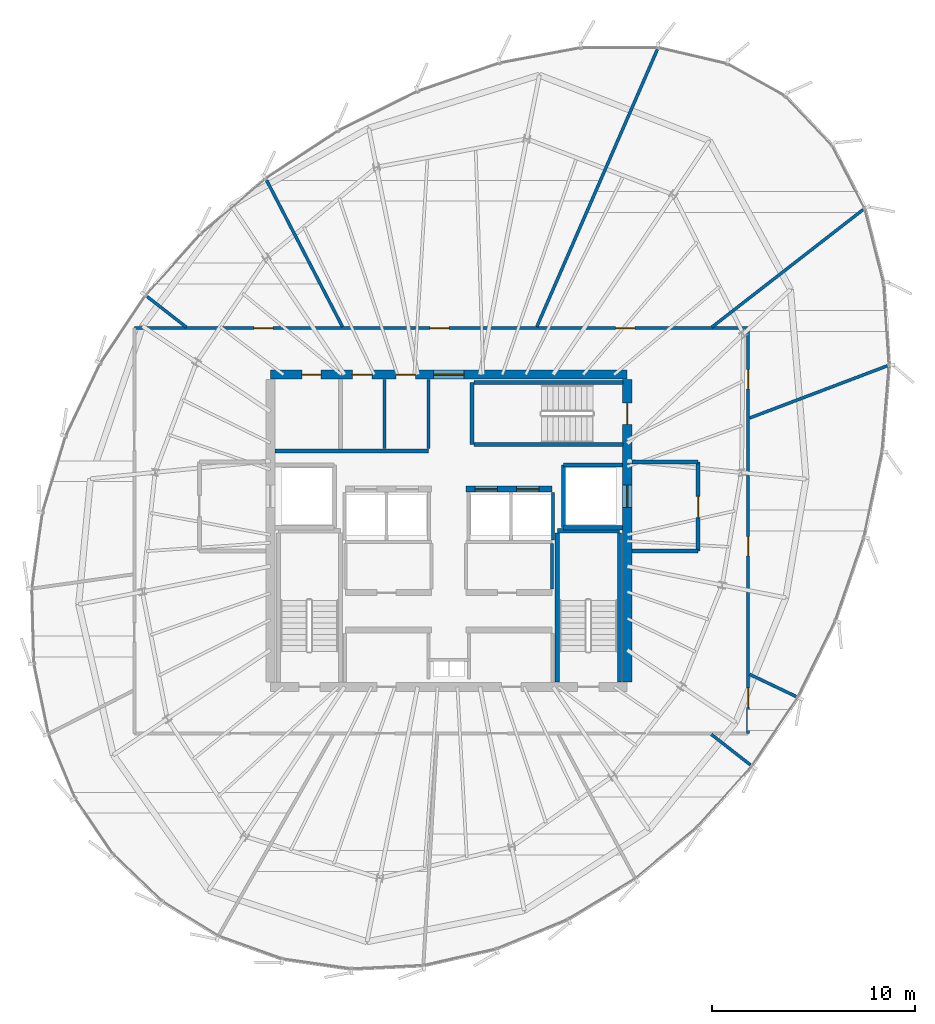
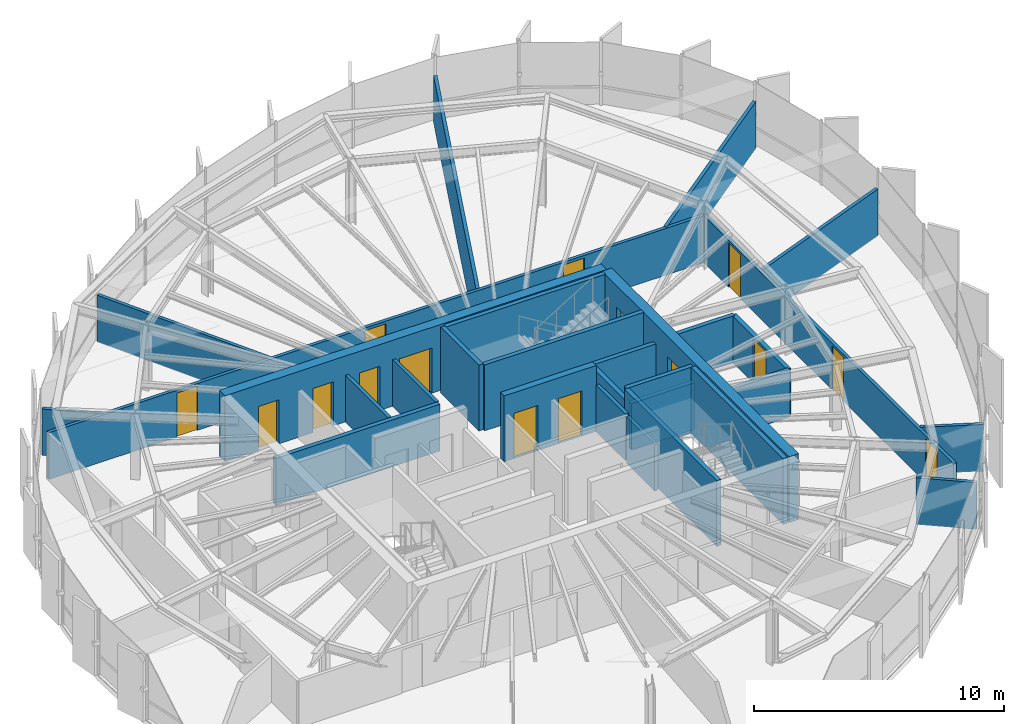
# One storey, part 30 of 35: 29 walls, 15 doors, 15 openings.
"""IFC4 building model written with IfcOpenShell, lengths in metres."""

from ifc_helpers import new_model, si_unit, direction, frame, frame_2d, origin, place, context, subcontext, project, spatial, rectangle, extrude, source, transform, mapped, material, layer, layer_set, type_object, element, fill, save


model = new_model("IFC4")

# Units and contexts
model_context = context("Model", 3, precision=1e-05, world=origin(), true_north=direction((0.0, 1.0)))
body_context = subcontext(model_context, "Body", "Model", "MODEL_VIEW")
ifc_project = project(units=[si_unit("LENGTHUNIT", "METRE"), si_unit("AREAUNIT", "SQUARE_METRE"), si_unit("VOLUMEUNIT", "CUBIC_METRE"), si_unit("PLANEANGLEUNIT", "RADIAN"), si_unit("MASSUNIT", "GRAM", prefix="KILO"), si_unit("THERMODYNAMICTEMPERATUREUNIT", "KELVIN")], contexts=[model_context])

# Site, building, storey
site_placement = place(None, origin())
site = spatial("IfcSite", under=ifc_project, at=site_placement, CompositionType="ELEMENT")
building_placement = place(site_placement, origin())
building = spatial("IfcBuilding", under=site, at=building_placement, Name="Kethvar Cultural Tower", CompositionType="ELEMENT")
storey_placement = place(building_placement, frame((0.0, 0.0, 245.64990234375)))
storey = spatial("IfcBuildingStorey", under=building, at=storey_placement, Name="L64", CompositionType="ELEMENT", Elevation=245.64990234375)

# Wall, openings, doors
ifc_material_1 = material(Name="Concrete C50/60", Category="concrete")
ifc_layer_1 = layer(ifc_material_1, 0.449951171875, Name="Concrete C50/60", Category="concrete")
ifc_layer_set_1 = layer_set([ifc_layer_1], Name="Concrete C50/60 (450 mm)")
wall_type_1 = type_object("IfcWallType", Name="WL-CORE-450", PredefinedType="SHEAR", material=ifc_layer_set_1)
wall_1_placement = place(storey_placement, frame((55.60009765625, 35.5, 0.0), z_axis=(0.0, 0.0, 1.0), x_axis=(-1.0, 0.0, 0.0)))
wall_1 = element("IfcWall", 1, at=wall_1_placement, inside=storey, type_object=wall_type_1, Name="L64 Core Shear Wall N", PredefinedType="SHEAR", context=body_context, shape_type="SweptSolid", body=[
    extrude(rectangle(XDim=17.60009765625, YDim=0.449951171875, at=frame_2d((8.800048828125, 0.0))), origin(), (0.0, 0.0, 1.0), 3.210205078125),
])
opening_1_placement = place(wall_1_placement, frame((8.050048828125, 0.0, 0.0)))
opening_1 = element("IfcOpeningElement", 2, at=opening_1_placement, cuts=wall_1, Name="Opening D-L64-LN", PredefinedType="OPENING", context=body_context, shape_type="SweptSolid", body=[
    extrude(rectangle(XDim=1.5, YDim=2.199951171875, at=frame_2d((0.75, 1.10009765625))), frame((0.0, 0.23486328125, 0.0), z_axis=(0.0, -1.0, 0.0), x_axis=(1.0, 0.0, 0.0)), (0.0, 0.0, 1.0), 0.469970703125),
])
opening_2_placement = place(wall_1_placement, frame((15.10009765625, 0.0, 0.0)))
opening_2 = element("IfcOpeningElement", 3, at=opening_2_placement, cuts=wall_1, Name="Opening D-L64-E1", PredefinedType="OPENING", context=body_context, shape_type="SweptSolid", body=[
    extrude(rectangle(XDim=0.949951171875, YDim=2.14990234375, at=frame_2d((0.47509765625, 1.074951171875))), frame((0.0, 0.23486328125, 0.0), z_axis=(0.0, -1.0, 0.0), x_axis=(1.0, 0.0, 0.0)), (0.0, 0.0, 1.0), 0.469970703125),
])
opening_3_placement = place(wall_1_placement, frame((12.60009765625, 0.0, 0.0)))
opening_3 = element("IfcOpeningElement", 4, at=opening_3_placement, cuts=wall_1, Name="Opening D-L64-W1", PredefinedType="OPENING", context=body_context, shape_type="SweptSolid", body=[
    extrude(rectangle(XDim=0.949951171875, YDim=2.14990234375, at=frame_2d((0.47509765625, 1.074951171875))), frame((0.0, 0.23486328125, 0.0), z_axis=(0.0, -1.0, 0.0), x_axis=(1.0, 0.0, 0.0)), (0.0, 0.0, 1.0), 0.469970703125),
])
opening_4_placement = place(wall_1_placement, frame((10.449951171875, 0.0, 0.0)))
opening_4 = element("IfcOpeningElement", 5, at=opening_4_placement, cuts=wall_1, Name="Opening D-L64-W2", PredefinedType="OPENING", context=body_context, shape_type="SweptSolid", body=[
    extrude(rectangle(XDim=0.949951171875, YDim=2.14990234375, at=frame_2d((0.47509765625, 1.074951171875))), frame((0.0, 0.23486328125, 0.0), z_axis=(0.0, -1.0, 0.0), x_axis=(1.0, 0.0, 0.0)), (0.0, 0.0, 1.0), 0.469970703125),
])
ifc_material_2 = material(Name="Architectural Oak Timber", Category="wood")
door_type_1 = type_object("IfcDoorType", Name="DR-DBL-FD60-1500", OperationType="DOUBLE_DOOR_SINGLE_SWING", PredefinedType="DOOR", material=ifc_material_2)
shared_shape_1 = source(origin(), body_context, "Body", "SweptSolid", [
    extrude(rectangle(XDim=1.5, YDim=2.199951171875, at=frame_2d((0.75, 1.10009765625))), frame((0.0, 0.02490234375, 0.0), z_axis=(0.0, -1.0, 0.0), x_axis=(1.0, 0.0, 0.0)), (0.0, 0.0, 1.0), 0.050048828125),
])
door_1_placement = place(opening_1_placement, origin())
door_1 = element("IfcDoor", 6, at=door_1_placement, inside=storey, type_object=door_type_1, Name="L64 Lift Lobby Concourse Door", OperationType="DOUBLE_DOOR_SINGLE_SWING", OverallHeight=2.199951171875, OverallWidth=1.5, PredefinedType="DOOR", context=body_context, shape_type="MappedRepresentation", body=[
    mapped(shared_shape_1, transform((0.0, 0.0, 0.0), scale=1.0)),
])
fill(opening_1, door_1)
door_type_2 = type_object("IfcDoorType", Name="DR-FD30-950", OperationType="NOTDEFINED", PredefinedType="DOOR", material=ifc_material_2)
shared_shape_2 = source(origin(), body_context, "Body", "SweptSolid", [
    extrude(rectangle(XDim=0.949951171875, YDim=2.14990234375, at=frame_2d((0.47509765625, 1.074951171875))), frame((0.0, 0.02490234375, 0.0), z_axis=(0.0, -1.0, 0.0), x_axis=(1.0, 0.0, 0.0)), (0.0, 0.0, 1.0), 0.050048828125),
])
door_2_placement = place(opening_2_placement, origin())
door_2 = element("IfcDoor", 7, at=door_2_placement, inside=storey, type_object=door_type_2, Name="L64 Electrical Switchgear Door", OperationType="SINGLE_SWING_RIGHT", OverallHeight=2.14990234375, OverallWidth=0.949951171875, PredefinedType="DOOR", context=body_context, shape_type="MappedRepresentation", body=[
    mapped(shared_shape_2, transform((0.0, 0.0, 0.0), scale=1.0)),
])
fill(opening_2, door_2)
door_3_placement = place(opening_3_placement, origin())
door_3 = element("IfcDoor", 8, at=door_3_placement, inside=storey, type_object=door_type_2, Name="L64 Accessible Washroom Door", OperationType="SINGLE_SWING_LEFT", OverallHeight=2.14990234375, OverallWidth=0.949951171875, PredefinedType="DOOR", context=body_context, shape_type="MappedRepresentation", body=[
    mapped(shared_shape_2, transform((0.0, 0.0, 0.0), scale=1.0)),
])
fill(opening_3, door_3)
door_4_placement = place(opening_4_placement, origin())
door_4 = element("IfcDoor", 9, at=door_4_placement, inside=storey, type_object=door_type_2, Name="L64 Public Washroom Door", OperationType="SINGLE_SWING_RIGHT", OverallHeight=2.14990234375, OverallWidth=0.949951171875, PredefinedType="DOOR", context=body_context, shape_type="MappedRepresentation", body=[
    mapped(shared_shape_2, transform((0.0, 0.0, 0.0), scale=1.0)),
])
fill(opening_4, door_4)

wall_2_placement = place(storey_placement, frame((55.60009765625, 20.340087890625, 0.0), z_axis=(0.0, 0.0, 1.0), x_axis=(0.0, 1.0, 0.0)))
wall_2 = element("IfcWall", 10, at=wall_2_placement, inside=storey, type_object=wall_type_1, Name="L64 Core Shear Wall E", PredefinedType="SHEAR", context=body_context, shape_type="SweptSolid", body=[
    extrude(rectangle(XDim=14.919921875, YDim=0.449951171875, at=frame_2d((7.4599609375, 0.0))), origin(), (0.0, 0.0, 1.0), 3.210205078125),
])
opening_5_placement = place(wall_2_placement, frame((12.7099609375, 0.0, 0.0)))
opening_5 = element("IfcOpeningElement", 11, at=opening_5_placement, cuts=wall_2, Name="Opening D-L64-S3", PredefinedType="OPENING", context=body_context, shape_type="SweptSolid", body=[
    extrude(rectangle(XDim=1.050048828125, YDim=2.14990234375, at=frame_2d((0.52490234375, 1.074951171875))), frame((0.0, 0.23486328125, 0.0), z_axis=(0.0, -1.0, 0.0), x_axis=(1.0, 0.0, 0.0)), (0.0, 0.0, 1.0), 0.469970703125),
])
opening_6_placement = place(wall_2_placement, frame((8.610107421875, 0.0, 0.0)))
opening_6 = element("IfcOpeningElement", 12, at=opening_6_placement, cuts=wall_2, Name="Opening LD-2", PredefinedType="OPENING", context=body_context, shape_type="SweptSolid", body=[
    extrude(rectangle(XDim=1.10009765625, YDim=2.199951171875, at=frame_2d((0.550048828125, 1.10009765625))), frame((0.0, 0.23486328125, 0.0), z_axis=(0.0, -1.0, 0.0), x_axis=(1.0, 0.0, 0.0)), (0.0, 0.0, 1.0), 0.469970703125),
])
ifc_material_3 = material(Name="Steel S355J2", Category="steel")
door_type_3 = type_object("IfcDoorType", Name="DR-FD60-1050", OperationType="NOTDEFINED", PredefinedType="DOOR", material=ifc_material_3)
shared_shape_3 = source(origin(), body_context, "Body", "SweptSolid", [
    extrude(rectangle(XDim=1.050048828125, YDim=2.14990234375, at=frame_2d((0.52490234375, 1.074951171875))), frame((0.0, 0.02490234375, 0.0), z_axis=(0.0, -1.0, 0.0), x_axis=(1.0, 0.0, 0.0)), (0.0, 0.0, 1.0), 0.050048828125),
])
door_5_placement = place(opening_5_placement, origin())
door_5 = element("IfcDoor", 13, at=door_5_placement, inside=storey, type_object=door_type_3, Name="L64 Exit Stair 3 Door", OperationType="SINGLE_SWING_LEFT", OverallHeight=2.14990234375, OverallWidth=1.050048828125, PredefinedType="DOOR", context=body_context, shape_type="MappedRepresentation", body=[
    mapped(shared_shape_3, transform((0.0, 0.0, 0.0), scale=1.0)),
])
fill(opening_5, door_5)
door_type_4 = type_object("IfcDoorType", Name="DR-LIFT-SLIDE-1100", OperationType="NOTDEFINED", PredefinedType="DOOR", material=ifc_material_3)
shared_shape_4 = source(origin(), body_context, "Body", "SweptSolid", [
    extrude(rectangle(XDim=1.10009765625, YDim=2.199951171875, at=frame_2d((0.550048828125, 1.10009765625))), frame((0.0, 0.02490234375, 0.0), z_axis=(0.0, -1.0, 0.0), x_axis=(1.0, 0.0, 0.0)), (0.0, 0.0, 1.0), 0.050048828125),
])
door_6_placement = place(opening_6_placement, origin())
door_6 = element("IfcDoor", 14, at=door_6_placement, inside=storey, type_object=door_type_4, Name="L64 Firefighting Lift Landing Door FFL-02", OperationType="SLIDING_TO_RIGHT", OverallHeight=2.199951171875, OverallWidth=1.10009765625, PredefinedType="DOOR", context=body_context, shape_type="MappedRepresentation", body=[
    mapped(shared_shape_4, transform((0.0, 0.0, 0.0), scale=1.0)),
])
fill(opening_6, door_6)

# Walls
ifc_material_4 = material(Name="Gypsum Fireboard Partition")
ifc_layer_2 = layer(ifc_material_4, 0.14990234375, Name="Gypsum Fireboard Partition")
ifc_layer_set_2 = layer_set([ifc_layer_2], Name="Gypsum Fireboard Partition (150 mm)")
wall_type_2 = type_object("IfcWallType", Name="WL-FIRE-150", PredefinedType="PARTITIONING", material=ifc_layer_set_2)
wall_3_placement = place(storey_placement, frame((51.89990234375, 24.919921875, 0.0), z_axis=(0.0, 0.0, 1.0), x_axis=(0.0, 1.0, 0.0)))
element("IfcWall", 15, at=wall_3_placement, inside=storey, type_object=wall_type_2, Name="L64 Reclaimed Mid Outer E", PredefinedType="PARTITIONING", context=body_context, shape_type="SweptSolid", body=[
    extrude(rectangle(XDim=2.239990234375, YDim=0.14990234375, at=frame_2d((1.1201171875, 0.0))), origin(), (0.0, 0.0, 1.0), 2.280029296875),
])
wall_4_placement = place(storey_placement, frame((51.949951171875, 27.340087890625, 0.0), z_axis=(0.0, 0.0, 1.0), x_axis=(0.0, 1.0, 0.0)))
element("IfcWall", 16, at=wall_4_placement, inside=storey, type_object=wall_type_2, Name="L64 High-Rise Lift Shaft Outer Wall E", PredefinedType="PARTITIONING", context=body_context, shape_type="SweptSolid", body=[
    extrude(rectangle(XDim=2.33984375, YDim=0.14990234375, at=frame_2d((1.169921875, 0.0))), origin(), (0.0, 0.0, 1.0), 2.280029296875),
])
wall_5_placement = place(storey_placement, frame((45.800048828125, 31.85009765625, 0.0), z_axis=(0.0, 0.0, 1.0), x_axis=(0.0, 1.0, 0.0)))
element("IfcWall", 17, at=wall_5_placement, inside=storey, type_object=wall_type_2, Name="L64 Sanitary Spine Wall", PredefinedType="PARTITIONING", context=body_context, shape_type="SweptSolid", body=[
    extrude(rectangle(XDim=3.414794921875, YDim=0.14990234375, at=frame_2d((1.70751953125, 0.0))), origin(), (0.0, 0.0, 1.0), 2.280029296875),
])

# Wall, openings, doors
wall_6_placement = place(storey_placement, frame((61.56396484375, 17.806884765625, 0.0), z_axis=(0.0, 0.0, 1.0), x_axis=(0.0, 1.0, 0.0)))
wall_6 = element("IfcWall", 18, at=wall_6_placement, inside=storey, type_object=wall_type_2, Name="L64 Corridor Rated Wall E", PredefinedType="PARTITIONING", context=body_context, shape_type="SweptSolid", body=[
    extrude(rectangle(XDim=19.986083984375, YDim=0.14990234375, at=frame_2d((9.9931640625, 0.0))), origin(), (0.0, 0.0, 1.0), 2.280029296875),
])
opening_7_placement = place(wall_6_placement, frame((1.2880859375, 0.0, 0.0)))
opening_7 = element("IfcOpeningElement", 19, at=opening_7_placement, cuts=wall_6, Name="Opening D-L64-06", PredefinedType="OPENING", context=body_context, shape_type="SweptSolid", body=[
    extrude(rectangle(XDim=0.949951171875, YDim=2.14990234375, at=frame_2d((0.47509765625, 1.074951171875))), frame((0.0, 0.0849609375, 0.0), z_axis=(0.0, -1.0, 0.0), x_axis=(1.0, 0.0, 0.0)), (0.0, 0.0, 1.0), 0.169921875),
])
opening_8_placement = place(wall_6_placement, frame((8.75537109375, 0.0, 0.0)))
opening_8 = element("IfcOpeningElement", 20, at=opening_8_placement, cuts=wall_6, Name="Opening D-L64-07", PredefinedType="OPENING", context=body_context, shape_type="SweptSolid", body=[
    extrude(rectangle(XDim=0.949951171875, YDim=2.14990234375, at=frame_2d((0.47509765625, 1.074951171875))), frame((0.0, 0.0849609375, 0.0), z_axis=(0.0, -1.0, 0.0), x_axis=(1.0, 0.0, 0.0)), (0.0, 0.0, 1.0), 0.169921875),
])
opening_9_placement = place(wall_6_placement, frame((16.990966796875, 0.0, 0.0)))
opening_9 = element("IfcOpeningElement", 21, at=opening_9_placement, cuts=wall_6, Name="Opening D-L64-08", PredefinedType="OPENING", context=body_context, shape_type="SweptSolid", body=[
    extrude(rectangle(XDim=0.949951171875, YDim=2.14990234375, at=frame_2d((0.47509765625, 1.074951171875))), frame((0.0, 0.0849609375, 0.0), z_axis=(0.0, -1.0, 0.0), x_axis=(1.0, 0.0, 0.0)), (0.0, 0.0, 1.0), 0.169921875),
])
door_7_placement = place(opening_7_placement, origin())
door_7 = element("IfcDoor", 22, at=door_7_placement, inside=storey, type_object=door_type_2, Name="L64 Compact Archival Store 06 Door", OperationType="SINGLE_SWING_RIGHT", OverallHeight=2.14990234375, OverallWidth=0.949951171875, PredefinedType="DOOR", context=body_context, shape_type="MappedRepresentation", body=[
    mapped(shared_shape_2, transform((0.0, 0.0, 0.0), scale=1.0)),
])
fill(opening_7, door_7)
door_8_placement = place(opening_8_placement, origin())
door_8 = element("IfcDoor", 23, at=door_8_placement, inside=storey, type_object=door_type_2, Name="L64 Rare Folio Storage 07 Door", OperationType="SINGLE_SWING_LEFT", OverallHeight=2.14990234375, OverallWidth=0.949951171875, PredefinedType="DOOR", context=body_context, shape_type="MappedRepresentation", body=[
    mapped(shared_shape_2, transform((0.0, 0.0, 0.0), scale=1.0)),
])
fill(opening_8, door_8)
door_9_placement = place(opening_9_placement, origin())
door_9 = element("IfcDoor", 24, at=door_9_placement, inside=storey, type_object=door_type_2, Name="L64 Docent Espresso Pantry 08 Door", OperationType="SINGLE_SWING_RIGHT", OverallHeight=2.14990234375, OverallWidth=0.949951171875, PredefinedType="DOOR", context=body_context, shape_type="MappedRepresentation", body=[
    mapped(shared_shape_2, transform((0.0, 0.0, 0.0), scale=1.0)),
])
fill(opening_9, door_9)

wall_7_placement = place(storey_placement, frame((61.56396484375, 37.79296875, 0.0), z_axis=(0.0, 0.0, 1.0), x_axis=(-1.0, 0.0, 0.0)))
wall_7 = element("IfcWall", 25, at=wall_7_placement, inside=storey, type_object=wall_type_2, Name="L64 Corridor Rated Wall N", PredefinedType="PARTITIONING", context=body_context, shape_type="SweptSolid", body=[
    extrude(rectangle(XDim=30.27392578125, YDim=0.14990234375, at=frame_2d((15.136962890625, 0.0))), origin(), (0.0, 0.0, 1.0), 2.280029296875),
])
opening_10_placement = place(wall_7_placement, frame((5.5888671875, 0.0, 0.0)))
opening_10 = element("IfcOpeningElement", 26, at=opening_10_placement, cuts=wall_7, Name="Opening D-L64-09", PredefinedType="OPENING", context=body_context, shape_type="SweptSolid", body=[
    extrude(rectangle(XDim=0.949951171875, YDim=2.14990234375, at=frame_2d((0.47509765625, 1.074951171875))), frame((0.0, 0.0849609375, 0.0), z_axis=(0.0, -1.0, 0.0), x_axis=(1.0, 0.0, 0.0)), (0.0, 0.0, 1.0), 0.169921875),
])
opening_11_placement = place(wall_7_placement, frame((14.742919921875, 0.0, 0.0)))
opening_11 = element("IfcOpeningElement", 27, at=opening_11_placement, cuts=wall_7, Name="Opening D-L64-10", PredefinedType="OPENING", context=body_context, shape_type="SweptSolid", body=[
    extrude(rectangle(XDim=0.949951171875, YDim=2.14990234375, at=frame_2d((0.47509765625, 1.074951171875))), frame((0.0, 0.0849609375, 0.0), z_axis=(0.0, -1.0, 0.0), x_axis=(1.0, 0.0, 0.0)), (0.0, 0.0, 1.0), 0.169921875),
])
opening_12_placement = place(wall_7_placement, frame((23.42333984375, 0.0, 0.0)))
opening_12 = element("IfcOpeningElement", 28, at=opening_12_placement, cuts=wall_7, Name="Opening D-L64-11", PredefinedType="OPENING", context=body_context, shape_type="SweptSolid", body=[
    extrude(rectangle(XDim=0.949951171875, YDim=2.14990234375, at=frame_2d((0.47509765625, 1.074951171875))), frame((0.0, 0.0849609375, 0.0), z_axis=(0.0, -1.0, 0.0), x_axis=(1.0, 0.0, 0.0)), (0.0, 0.0, 1.0), 0.169921875),
])
door_10_placement = place(opening_10_placement, origin())
door_10 = element("IfcDoor", 29, at=door_10_placement, inside=storey, type_object=door_type_2, Name="L64 Scholars' Study Lounge 09 Door", OperationType="SINGLE_SWING_LEFT", OverallHeight=2.14990234375, OverallWidth=0.949951171875, PredefinedType="DOOR", context=body_context, shape_type="MappedRepresentation", body=[
    mapped(shared_shape_2, transform((0.0, 0.0, 0.0), scale=1.0)),
])
fill(opening_10, door_10)
door_11_placement = place(opening_11_placement, origin())
door_11 = element("IfcDoor", 30, at=door_11_placement, inside=storey, type_object=door_type_2, Name="L64 Curatorial Concierge Foyer 10 Door", OperationType="SINGLE_SWING_RIGHT", OverallHeight=2.14990234375, OverallWidth=0.949951171875, PredefinedType="DOOR", context=body_context, shape_type="MappedRepresentation", body=[
    mapped(shared_shape_2, transform((0.0, 0.0, 0.0), scale=1.0)),
])
fill(opening_11, door_11)
door_12_placement = place(opening_12_placement, origin())
door_12 = element("IfcDoor", 31, at=door_12_placement, inside=storey, type_object=door_type_2, Name="L64 Photography Media Salon 11 Door", OperationType="SINGLE_SWING_LEFT", OverallHeight=2.14990234375, OverallWidth=0.949951171875, PredefinedType="DOOR", context=body_context, shape_type="MappedRepresentation", body=[
    mapped(shared_shape_2, transform((0.0, 0.0, 0.0), scale=1.0)),
])
fill(opening_12, door_12)

# Walls
ifc_material_5 = material(Name="Concrete C40/50", Category="concrete")
ifc_layer_3 = layer(ifc_material_5, 0.199951171875, Name="Concrete C40/50", Category="concrete")
ifc_layer_set_3 = layer_set([ifc_layer_3], Name="Concrete C40/50 (200 mm)")
wall_type_3 = type_object("IfcWallType", Name="WL-FIRE-200", PredefinedType="PARTITIONING", material=ifc_layer_set_3)
wall_8_placement = place(storey_placement, frame((52.449951171875, 27.949951171875, 0.0), z_axis=(0.0, 0.0, 1.0), x_axis=(0.0, 1.0, 0.0)))
element("IfcWall", 32, at=wall_8_placement, inside=storey, type_object=wall_type_3, Name="L64 FFL-02 Shaft Inner Wall", PredefinedType="PARTITIONING", context=body_context, shape_type="SweptSolid", body=[
    extrude(rectangle(XDim=3.10009765625, YDim=0.199951171875, at=frame_2d((1.550048828125, 0.0))), origin(), (0.0, 0.0, 1.0), 2.280029296875),
])
for number, where, z_axis, x_axis, name in (
    (33, (52.449951171875, 27.949951171875, 0.0), (0.0, 0.0, 1.0), (1.0, 0.0, 0.0), "L64 FFL-02 Shaft South Wall"),
    (34, (52.449951171875, 31.050048828125, 0.0), (0.0, 0.0, 1.0), (1.0, 0.0, 0.0), "L64 FFL-02 Shaft North Wall"),
):
    element("IfcWall", number, at=place(storey_placement, frame(where, z_axis=z_axis, x_axis=x_axis)), inside=storey, type_object=wall_type_3, Name=name, PredefinedType="PARTITIONING", context=body_context, shape_type="SweptSolid", body=[
        extrude(rectangle(XDim=2.9150390625, YDim=0.199951171875, at=frame_2d((1.45751953125, 0.0))), origin(), (0.0, 0.0, 1.0), 2.280029296875),
    ])

# Wall, opening, door
wall_9_placement = place(storey_placement, frame((59.10009765625, 26.800048828125, 0.0), z_axis=(0.0, 0.0, 1.0), x_axis=(0.0, 1.0, 0.0)))
wall_9 = element("IfcWall", 35, at=wall_9_placement, inside=storey, type_object=wall_type_3, Name="L64 Firefighting Lobby 2 Wall", PredefinedType="PARTITIONING", context=body_context, shape_type="SweptSolid", body=[
    extrude(rectangle(XDim=4.39990234375, YDim=0.199951171875, at=frame_2d((2.199951171875, 0.0))), origin(), (0.0, 0.0, 1.0), 2.280029296875),
])
opening_13_placement = place(wall_9_placement, frame((1.64990234375, 0.0, 0.0)))
opening_13 = element("IfcOpeningElement", 36, at=opening_13_placement, cuts=wall_9, Name="Opening D-L64-F2", PredefinedType="OPENING", context=body_context, shape_type="SweptSolid", body=[
    extrude(rectangle(XDim=1.050048828125, YDim=2.14990234375, at=frame_2d((0.52490234375, 1.074951171875))), frame((0.0, 0.10986328125, 0.0), z_axis=(0.0, -1.0, 0.0), x_axis=(1.0, 0.0, 0.0)), (0.0, 0.0, 1.0), 0.219970703125),
])
door_13_placement = place(opening_13_placement, origin())
door_13 = element("IfcDoor", 37, at=door_13_placement, inside=storey, type_object=door_type_3, Name="L64 Firefighting Lobby 2 Fire Door", OperationType="SINGLE_SWING_LEFT", OverallHeight=2.14990234375, OverallWidth=1.050048828125, PredefinedType="DOOR", context=body_context, shape_type="MappedRepresentation", body=[
    mapped(shared_shape_3, transform((0.0, 0.0, 0.0), scale=1.0)),
])
fill(opening_13, door_13)

# Walls
for number, where, z_axis, x_axis, name in (
    (38, (55.8349609375, 26.800048828125, 0.0), (0.0, 0.0, 1.0), (1.0, 0.0, 0.0), "L64 FF Lobby 2 South Wall"),
    (39, (55.8349609375, 31.199951171875, 0.0), (0.0, 0.0, 1.0), (1.0, 0.0, 0.0), "L64 FF Lobby 2 North Wall"),
):
    element("IfcWall", number, at=place(storey_placement, frame(where, z_axis=z_axis, x_axis=x_axis)), inside=storey, type_object=wall_type_3, Name=name, PredefinedType="PARTITIONING", context=body_context, shape_type="SweptSolid", body=[
        extrude(rectangle(XDim=3.26513671875, YDim=0.199951171875, at=frame_2d((1.632568359375, 0.0))), origin(), (0.0, 0.0, 1.0), 2.280029296875),
    ])
wall_10_placement = place(storey_placement, frame((38.235107421875, 31.72998046875, 0.0), z_axis=(0.0, 0.0, 1.0), x_axis=(1.0, 0.0, 0.0)))
element("IfcWall", 40, at=wall_10_placement, inside=storey, type_object=wall_type_3, Name="L64 North Core Sanitary South Wall", PredefinedType="PARTITIONING", context=body_context, shape_type="SweptSolid", body=[
    extrude(rectangle(XDim=7.56494140625, YDim=0.199951171875, at=frame_2d((3.782470703125, 0.0))), origin(), (0.0, 0.0, 1.0), 2.280029296875),
])
ifc_material_6 = material(Name="Gypsum Acoustic Partition")
ifc_layer_4 = layer(ifc_material_6, 0.14990234375, Name="Gypsum Acoustic Partition")
ifc_layer_set_4 = layer_set([ifc_layer_4], Name="Gypsum Acoustic Partition (150 mm)")
wall_type_4 = type_object("IfcWallType", Name="WL-PART-150", PredefinedType="PARTITIONING", material=ifc_layer_set_4)
wall_11_placement = place(storey_placement, frame((59.74609375, 17.7578125, 0.0), z_axis=(0.0, 0.0, 1.0), x_axis=(0.788469366892, -0.61507402601, 0.0)))
element("IfcWall", 41, at=wall_11_placement, inside=storey, type_object=wall_type_4, Name="L64 Radial Partition Wall 06", PredefinedType="PARTITIONING", context=body_context, shape_type="SweptSolid", body=[
    extrude(rectangle(XDim=2.4443359375, YDim=0.14990234375, at=frame_2d((1.22216796875, 0.0))), origin(), (0.0, 0.0, 1.0), 2.280029296875),
])
wall_12_placement = place(storey_placement, frame((61.63623046875, 20.718994140625, 0.0), z_axis=(0.0, 0.0, 1.0), x_axis=(0.902636442074, -0.430403826006, 0.0)))
element("IfcWall", 42, at=wall_12_placement, inside=storey, type_object=wall_type_4, Name="L64 Radial Partition Wall 07", PredefinedType="PARTITIONING", context=body_context, shape_type="SweptSolid", body=[
    extrude(rectangle(XDim=2.5390625, YDim=0.14990234375, at=frame_2d((1.26953125, 0.0))), origin(), (0.0, 0.0, 1.0), 2.280029296875),
])
wall_13_placement = place(storey_placement, frame((61.638916015625, 33.36083984375, 0.0), z_axis=(0.0, 0.0, 1.0), x_axis=(0.935050196541, 0.354515345152, 0.0)))
element("IfcWall", 43, at=wall_13_placement, inside=storey, type_object=wall_type_4, Name="L64 Radial Partition Wall 08", PredefinedType="PARTITIONING", context=body_context, shape_type="SweptSolid", body=[
    extrude(rectangle(XDim=7.259765625, YDim=0.14990234375, at=frame_2d((3.6298828125, 0.0))), origin(), (0.0, 0.0, 1.0), 2.280029296875),
])
wall_14_placement = place(storey_placement, frame((59.77392578125, 37.842041015625, 0.0), z_axis=(0.0, 0.0, 1.0), x_axis=(0.789655228906, 0.613550828751, 0.0)))
element("IfcWall", 44, at=wall_14_placement, inside=storey, type_object=wall_type_4, Name="L64 Radial Partition Wall 09", PredefinedType="PARTITIONING", context=body_context, shape_type="SweptSolid", body=[
    extrude(rectangle(XDim=9.454833984375, YDim=0.14990234375, at=frame_2d((4.7275390625, 0.0))), origin(), (0.0, 0.0, 1.0), 2.280029296875),
])
wall_15_placement = place(storey_placement, frame((51.143798828125, 37.866455078125, 0.0), z_axis=(0.0, 0.0, 1.0), x_axis=(0.398607510902, 0.917121612575, 0.0)))
element("IfcWall", 45, at=wall_15_placement, inside=storey, type_object=wall_type_4, Name="L64 Radial Partition Wall 10", PredefinedType="PARTITIONING", context=body_context, shape_type="SweptSolid", body=[
    extrude(rectangle(XDim=14.904296875, YDim=0.14990234375, at=frame_2d((7.4521484375, 0.0))), origin(), (0.0, 0.0, 1.0), 2.280029296875),
])
wall_16_placement = place(storey_placement, frame((41.554443359375, 37.864013671875, 0.0), z_axis=(0.0, 0.0, 1.0), x_axis=(-0.459817459347, 0.888013459402, 0.0)))
element("IfcWall", 46, at=wall_16_placement, inside=storey, type_object=wall_type_4, Name="L64 Radial Partition Wall 11", PredefinedType="PARTITIONING", context=body_context, shape_type="SweptSolid", body=[
    extrude(rectangle(XDim=8.1298828125, YDim=0.14990234375, at=frame_2d((4.06494140625, 0.0))), origin(), (0.0, 0.0, 1.0), 2.280029296875),
])
wall_17_placement = place(storey_placement, frame((33.85400390625, 37.84228515625, 0.0), z_axis=(0.0, 0.0, 1.0), x_axis=(-0.788469366892, 0.61507402601, 0.0)))
element("IfcWall", 47, at=wall_17_placement, inside=storey, type_object=wall_type_4, Name="L64 Radial Partition Wall 12", PredefinedType="PARTITIONING", context=body_context, shape_type="SweptSolid", body=[
    extrude(rectangle(XDim=2.4443359375, YDim=0.14990234375, at=frame_2d((1.22216796875, 0.0))), origin(), (0.0, 0.0, 1.0), 2.280029296875),
])
ifc_material_7 = material(Name="Moisture-Resistant Sanitary Chase Wall")
ifc_layer_5 = layer(ifc_material_7, 0.14990234375, Name="Moisture-Resistant Sanitary Chase Wall")
ifc_layer_set_5 = layer_set([ifc_layer_5], Name="Moisture-Resistant Sanitary Chase Wall (150 mm)")
wall_type_5 = type_object("IfcWallType", Name="WL-PLUMB-150", PredefinedType="PLUMBINGWALL", material=ifc_layer_set_5)
wall_18_placement = place(storey_placement, frame((43.6201171875, 31.85009765625, 0.0), z_axis=(0.0, 0.0, 1.0), x_axis=(0.0, 1.0, 0.0)))
element("IfcWall", 48, at=wall_18_placement, inside=storey, type_object=wall_type_5, Name="L64 Sanitary Plumbing Wall", PredefinedType="PLUMBINGWALL", context=body_context, shape_type="SweptSolid", body=[
    extrude(rectangle(XDim=3.414794921875, YDim=0.14990234375, at=frame_2d((1.70751953125, 0.0))), origin(), (0.0, 0.0, 1.0), 2.280029296875),
])

# Wall, openings, doors
ifc_layer_6 = layer(ifc_material_1, 0.300048828125, Name="Concrete C50/60", Category="concrete")
ifc_layer_set_6 = layer_set([ifc_layer_6], Name="Concrete C50/60 (300 mm)")
wall_type_6 = type_object("IfcWallType", Name="WL-SHAFT-300", PredefinedType="SHEAR", material=ifc_layer_set_6)
wall_19_placement = place(storey_placement, frame((47.64990234375, 29.85009765625, 0.0), z_axis=(0.0, 0.0, 1.0), x_axis=(1.0, 0.0, 0.0)))
wall_19 = element("IfcWall", 49, at=wall_19_placement, inside=storey, type_object=wall_type_6, Name="L64 Core Lift Spine Wall MID3E", PredefinedType="SHEAR", context=body_context, shape_type="SweptSolid", body=[
    extrude(rectangle(XDim=4.25, YDim=0.300048828125, at=frame_2d((2.125, 0.0))), origin(), (0.0, 0.0, 1.0), 3.210205078125),
])
opening_14_placement = place(wall_19_placement, frame((0.449951171875, 0.0, 0.0)))
opening_14 = element("IfcOpeningElement", 50, at=opening_14_placement, cuts=wall_19, Name="Opening LD-H3", PredefinedType="OPENING", context=body_context, shape_type="SweptSolid", body=[
    extrude(rectangle(XDim=1.10009765625, YDim=2.199951171875, at=frame_2d((0.550048828125, 1.10009765625))), frame((0.0, 0.159912109375, 0.0), z_axis=(0.0, -1.0, 0.0), x_axis=(1.0, 0.0, 0.0)), (0.0, 0.0, 1.0), 0.320068359375),
])
opening_15_placement = place(wall_19_placement, frame((2.5, 0.0, 0.0)))
opening_15 = element("IfcOpeningElement", 51, at=opening_15_placement, cuts=wall_19, Name="Opening LD-H4", PredefinedType="OPENING", context=body_context, shape_type="SweptSolid", body=[
    extrude(rectangle(XDim=1.10009765625, YDim=2.199951171875, at=frame_2d((0.550048828125, 1.10009765625))), frame((0.0, 0.159912109375, 0.0), z_axis=(0.0, -1.0, 0.0), x_axis=(1.0, 0.0, 0.0)), (0.0, 0.0, 1.0), 0.320068359375),
])
door_14_placement = place(opening_14_placement, origin())
door_14 = element("IfcDoor", 52, at=door_14_placement, inside=storey, type_object=door_type_4, Name="L64 High-Rise Lift Landing Door H3", OperationType="SLIDING_TO_LEFT", OverallHeight=2.199951171875, OverallWidth=1.10009765625, PredefinedType="DOOR", context=body_context, shape_type="MappedRepresentation", body=[
    mapped(shared_shape_4, transform((0.0, 0.0, 0.0), scale=1.0)),
])
fill(opening_14, door_14)
door_15_placement = place(opening_15_placement, origin())
door_15 = element("IfcDoor", 53, at=door_15_placement, inside=storey, type_object=door_type_4, Name="L64 High-Rise Lift Landing Door H4", OperationType="SLIDING_TO_LEFT", OverallHeight=2.199951171875, OverallWidth=1.10009765625, PredefinedType="DOOR", context=body_context, shape_type="MappedRepresentation", body=[
    mapped(shared_shape_4, transform((0.0, 0.0, 0.0), scale=1.0)),
])
fill(opening_15, door_15)

# Walls
ifc_layer_7 = layer(ifc_material_1, 0.199951171875, Name="Concrete C50/60", Category="concrete")
ifc_layer_set_7 = layer_set([ifc_layer_7], Name="Concrete C50/60 (200 mm)")
wall_type_7 = type_object("IfcWallType", Name="WL-STSHAFT-200", PredefinedType="SHEAR", material=ifc_layer_set_7)
wall_20_placement = place(storey_placement, frame((52.14990234375, 27.800048828125, 0.0), z_axis=(0.0, 0.0, 1.0), x_axis=(1.0, 0.0, 0.0)))
element("IfcWall", 54, at=wall_20_placement, inside=storey, type_object=wall_type_7, Name="L64 ST-02 Stair Shaft Wall FAR", PredefinedType="SHEAR", context=body_context, shape_type="SweptSolid", body=[
    extrude(rectangle(XDim=3.06005859375, YDim=0.199951171875, at=frame_2d((1.530029296875, 0.0))), origin(), (0.0, 0.0, 1.0), 3.210205078125),
])
for number, where, z_axis, x_axis, name in (
    (55, (55.2099609375, 27.699951171875, 0.0), (0.0, 0.0, 1.0), (0.0, -1.0, 0.0), "L64 ST-02 Stair Shaft Wall LEFT"),
    (56, (52.14990234375, 20.35009765625, 0.0), (0.0, 0.0, 1.0), (0.0, 1.0, 0.0), "L64 ST-02 Stair Shaft Wall RIGHT"),
):
    element("IfcWall", number, at=place(storey_placement, frame(where, z_axis=z_axis, x_axis=x_axis)), inside=storey, type_object=wall_type_7, Name=name, PredefinedType="SHEAR", context=body_context, shape_type="SweptSolid", body=[
        extrude(rectangle(XDim=7.349853515625, YDim=0.199951171875, at=frame_2d((3.6748046875, 0.0))), origin(), (0.0, 0.0, 1.0), 3.210205078125),
    ])
wall_21_placement = place(storey_placement, frame((47.949951171875, 32.050048828125, 0.0), z_axis=(0.0, 0.0, 1.0), x_axis=(0.0, 1.0, 0.0)))
element("IfcWall", 57, at=wall_21_placement, inside=storey, type_object=wall_type_7, Name="L64 ST-03 Stair Shaft Wall FAR", PredefinedType="SHEAR", context=body_context, shape_type="SweptSolid", body=[
    extrude(rectangle(XDim=3.06005859375, YDim=0.199951171875, at=frame_2d((1.530029296875, 0.0))), origin(), (0.0, 0.0, 1.0), 3.210205078125),
])
for number, where, z_axis, x_axis, name in (
    (58, (48.050048828125, 35.110107421875, 0.0), (0.0, 0.0, 1.0), (1.0, 0.0, 0.0), "L64 ST-03 Stair Shaft Wall LEFT"),
    (59, (55.39990234375, 32.050048828125, 0.0), (0.0, 0.0, 1.0), (-1.0, 0.0, 0.0), "L64 ST-03 Stair Shaft Wall RIGHT"),
):
    element("IfcWall", number, at=place(storey_placement, frame(where, z_axis=z_axis, x_axis=x_axis)), inside=storey, type_object=wall_type_7, Name=name, PredefinedType="SHEAR", context=body_context, shape_type="SweptSolid", body=[
        extrude(rectangle(XDim=7.349853515625, YDim=0.199951171875, at=frame_2d((3.6748046875, 0.0))), origin(), (0.0, 0.0, 1.0), 3.210205078125),
    ])

save(model, "model.ifc")
